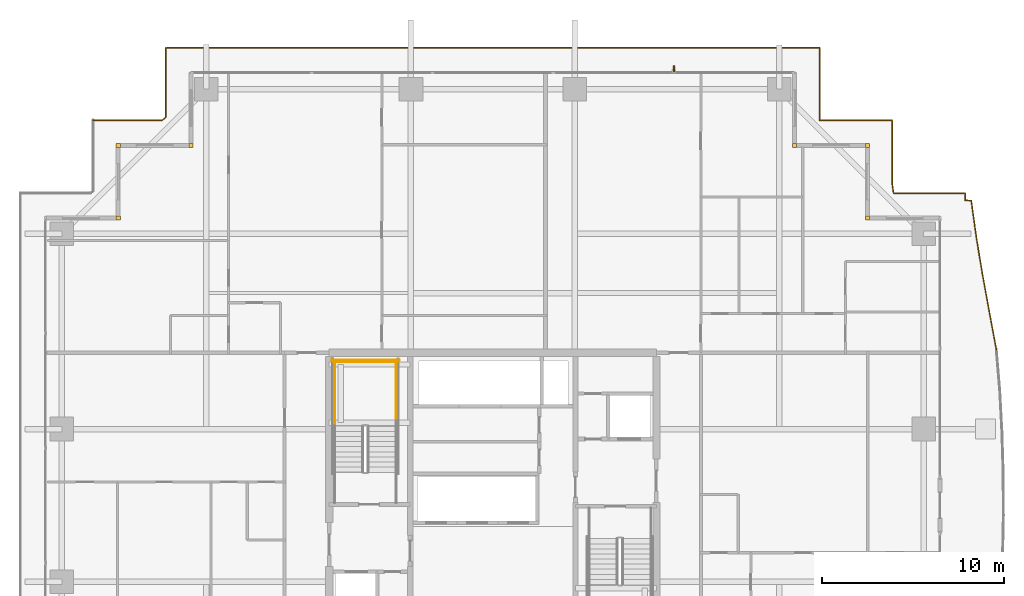
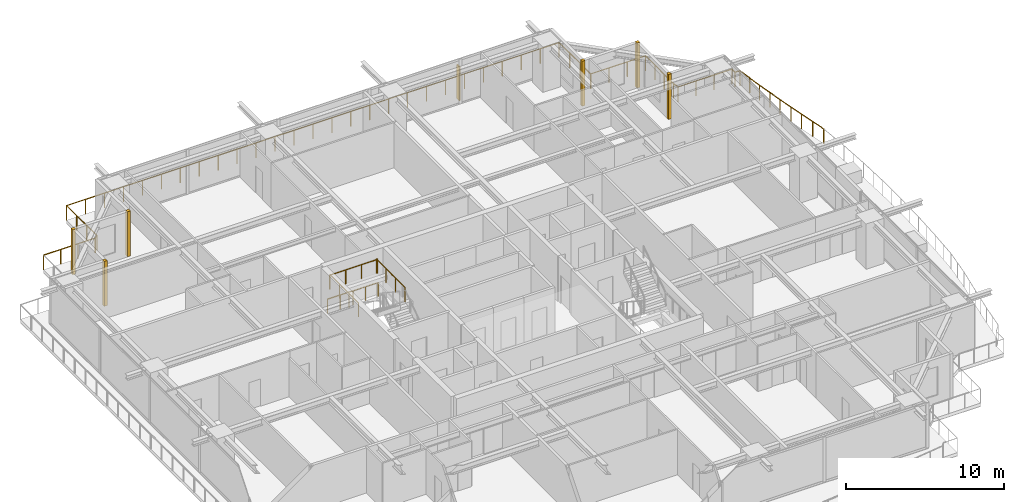
# One storey, part 35 of 35: 6 coverings, 6 railings, 1 shading device.
"""IFC4 building model written with IfcOpenShell, lengths in metres."""

from ifc_helpers import new_model, si_unit, direction, frame, origin, origin_2d, place, context, subcontext, project, spatial, rectangle, circle, extrude, source, transform, mapped, material, layer, layer_set, type_object, element, save


model = new_model("IFC4")

# Units and contexts
model_context = context("Model", 3, precision=1e-05, world=origin(), true_north=direction((0.0, 1.0)))
body_context = subcontext(model_context, "Body", "Model", "MODEL_VIEW")
ifc_project = project(units=[si_unit("LENGTHUNIT", "METRE"), si_unit("AREAUNIT", "SQUARE_METRE"), si_unit("VOLUMEUNIT", "CUBIC_METRE"), si_unit("PLANEANGLEUNIT", "RADIAN"), si_unit("MASSUNIT", "GRAM", prefix="KILO")], contexts=[model_context])

# Site, building, storey
site_placement = place(None, origin())
site = spatial("IfcSite", under=ifc_project, at=site_placement, CompositionType="ELEMENT")
building_placement = place(site_placement, origin())
building = spatial("IfcBuilding", under=site, at=building_placement, Name="Serunith Strait Residences", CompositionType="ELEMENT")
storey_placement = place(building_placement, frame((0.0, 0.0, 191.39990234375)))
storey = spatial("IfcBuildingStorey", under=building, at=storey_placement, Name="L48", CompositionType="ELEMENT", Elevation=191.39990234375)

# Railings
ifc_material_1 = material(Name="Stainless Steel & Laminated Glass Balustrade", Category="steel")
railing_type_1 = type_object("IfcRailingType", Name="RLG-BALC-1150", PredefinedType="BALUSTRADE", material=ifc_material_1)
railing_1_placement = place(storey_placement, frame((10.419921875, 46.3798828125, -0.0498046875)))
element("IfcRailing", 1, at=railing_1_placement, inside=storey, type_object=railing_type_1, Name="L48 Swirling Balcony Perimeter Balustrade 2", PredefinedType="BALUSTRADE", context=body_context, shape_type="SweptSolid", body=[
    extrude(circle(Radius=0.02392578125, at=origin_2d()), frame((0.001953125, 0.0, 1.1259765625), z_axis=(1.0, 0.0, 0.0), x_axis=(0.0, 1.0, 0.0)), (0.0, 0.0, 1.0), 3.7744140625),
    extrude(circle(Radius=0.02392578125, at=origin_2d()), frame((3.77978515625, 0.001220703125, 1.1259765625), z_axis=(0.777683480837, 0.628656029664, 0.0), x_axis=(-0.628656029664, 0.777683480837, 0.0)), (0.0, 0.0, 1.0), 0.281005859375),
    extrude(circle(Radius=0.02392578125, at=origin_2d()), frame((4.0, 0.18115234375, 1.1259765625), z_axis=(0.0, 1.0, 0.0), x_axis=(-1.0, 0.0, 0.0)), (0.0, 0.0, 1.0), 3.81689453125),
    extrude(circle(Radius=0.02392578125, at=origin_2d()), frame((4.001953125, 4.0, 1.1259765625), z_axis=(1.0, 0.0, 0.0), x_axis=(0.0, 1.0, 0.0)), (0.0, 0.0, 1.0), 35.9560546875),
    extrude(circle(Radius=0.02392578125, at=origin_2d()), frame((39.9599609375, 3.998046875, 1.1259765625), z_axis=(0.0, -1.0, 0.0), x_axis=(1.0, 0.0, 0.0)), (0.0, 0.0, 1.0), 3.99609375),
    extrude(circle(Radius=0.02392578125, at=origin_2d()), frame((39.9619140625, 0.0, 1.1259765625), z_axis=(1.0, 0.0, 0.0), x_axis=(0.0, 1.0, 0.0)), (0.0, 0.0, 1.0), 3.99609375),
    extrude(circle(Radius=0.02392578125, at=origin_2d()), frame((43.9599609375, -0.001953125, 1.1259765625), z_axis=(0.0, -1.0, 0.0), x_axis=(1.0, 0.0, 0.0)), (0.0, 0.0, 1.0), 3.545654296875),
    extrude(circle(Radius=0.02392578125, at=origin_2d()), frame((43.960205078125, -3.551513671875, 1.1259765625), z_axis=(0.146898392874, -0.989151587054, 0.0), x_axis=(0.989151587054, 0.146898392874, 0.0)), (0.0, 0.0, 1.0), 0.451416015625),
    extrude(circle(Radius=0.02099609375, at=origin_2d()), origin(), (0.0, 0.0, 1.0), 1.099853515625),
    extrude(circle(Radius=0.02099609375, at=origin_2d()), frame((1.259521484375, 0.0, 0.0)), (0.0, 0.0, 1.0), 1.099853515625),
    extrude(circle(Radius=0.02099609375, at=origin_2d()), frame((2.518798828125, 0.0, 0.0)), (0.0, 0.0, 1.0), 1.099853515625),
    extrude(circle(Radius=0.02099609375, at=origin_2d()), frame((3.7783203125, 0.0, 0.0)), (0.0, 0.0, 1.0), 1.099853515625),
    extrude(circle(Radius=0.02099609375, at=origin_2d()), frame((4.0, 0.17919921875, 0.0)), (0.0, 0.0, 1.0), 1.099853515625),
    extrude(circle(Radius=0.02099609375, at=origin_2d()), frame((4.0, 1.452880859375, 0.0)), (0.0, 0.0, 1.0), 1.099853515625),
    extrude(circle(Radius=0.02099609375, at=origin_2d()), frame((4.0, 2.726318359375, 0.0)), (0.0, 0.0, 1.0), 1.099853515625),
    extrude(circle(Radius=0.02099609375, at=origin_2d()), frame((4.0, 4.0, 0.0)), (0.0, 0.0, 1.0), 1.099853515625),
    extrude(circle(Radius=0.02099609375, at=origin_2d()), frame((5.383056640625, 4.0, 0.0)), (0.0, 0.0, 1.0), 1.099853515625),
    extrude(circle(Radius=0.02099609375, at=origin_2d()), frame((6.76611328125, 4.0, 0.0)), (0.0, 0.0, 1.0), 1.099853515625),
    extrude(circle(Radius=0.02099609375, at=origin_2d()), frame((8.149169921875, 4.0, 0.0)), (0.0, 0.0, 1.0), 1.099853515625),
    extrude(circle(Radius=0.02099609375, at=origin_2d()), frame((9.5322265625, 4.0, 0.0)), (0.0, 0.0, 1.0), 1.099853515625),
    extrude(circle(Radius=0.02099609375, at=origin_2d()), frame((10.915283203125, 4.0, 0.0)), (0.0, 0.0, 1.0), 1.099853515625),
    extrude(circle(Radius=0.02099609375, at=origin_2d()), frame((12.29833984375, 4.0, 0.0)), (0.0, 0.0, 1.0), 1.099853515625),
    extrude(circle(Radius=0.02099609375, at=origin_2d()), frame((13.681640625, 4.0, 0.0)), (0.0, 0.0, 1.0), 1.099853515625),
    extrude(circle(Radius=0.02099609375, at=origin_2d()), frame((15.064697265625, 4.0, 0.0)), (0.0, 0.0, 1.0), 1.099853515625),
    extrude(circle(Radius=0.02099609375, at=origin_2d()), frame((16.44775390625, 4.0, 0.0)), (0.0, 0.0, 1.0), 1.099853515625),
    extrude(circle(Radius=0.02099609375, at=origin_2d()), frame((17.830810546875, 4.0, 0.0)), (0.0, 0.0, 1.0), 1.099853515625),
    extrude(circle(Radius=0.02099609375, at=origin_2d()), frame((19.2138671875, 4.0, 0.0)), (0.0, 0.0, 1.0), 1.099853515625),
    extrude(circle(Radius=0.02099609375, at=origin_2d()), frame((20.596923828125, 4.0, 0.0)), (0.0, 0.0, 1.0), 1.099853515625),
    extrude(circle(Radius=0.02099609375, at=origin_2d()), frame((21.97998046875, 4.0, 0.0)), (0.0, 0.0, 1.0), 1.099853515625),
    extrude(circle(Radius=0.02099609375, at=origin_2d()), frame((23.363037109375, 4.0, 0.0)), (0.0, 0.0, 1.0), 1.099853515625),
    extrude(circle(Radius=0.02099609375, at=origin_2d()), frame((24.74609375, 4.0, 0.0)), (0.0, 0.0, 1.0), 1.099853515625),
    extrude(circle(Radius=0.02099609375, at=origin_2d()), frame((26.129150390625, 4.0, 0.0)), (0.0, 0.0, 1.0), 1.099853515625),
    extrude(circle(Radius=0.02099609375, at=origin_2d()), frame((27.51220703125, 4.0, 0.0)), (0.0, 0.0, 1.0), 1.099853515625),
    extrude(circle(Radius=0.02099609375, at=origin_2d()), frame((28.895263671875, 4.0, 0.0)), (0.0, 0.0, 1.0), 1.099853515625),
    extrude(circle(Radius=0.02099609375, at=origin_2d()), frame((30.2783203125, 4.0, 0.0)), (0.0, 0.0, 1.0), 1.099853515625),
    extrude(circle(Radius=0.02099609375, at=origin_2d()), frame((31.66162109375, 4.0, 0.0)), (0.0, 0.0, 1.0), 1.099853515625),
    extrude(circle(Radius=0.02099609375, at=origin_2d()), frame((33.044677734375, 4.0, 0.0)), (0.0, 0.0, 1.0), 1.099853515625),
    extrude(circle(Radius=0.02099609375, at=origin_2d()), frame((34.427734375, 4.0, 0.0)), (0.0, 0.0, 1.0), 1.099853515625),
    extrude(circle(Radius=0.02099609375, at=origin_2d()), frame((35.810791015625, 4.0, 0.0)), (0.0, 0.0, 1.0), 1.099853515625),
    extrude(circle(Radius=0.02099609375, at=origin_2d()), frame((37.19384765625, 4.0, 0.0)), (0.0, 0.0, 1.0), 1.099853515625),
    extrude(circle(Radius=0.02099609375, at=origin_2d()), frame((38.576904296875, 4.0, 0.0)), (0.0, 0.0, 1.0), 1.099853515625),
    extrude(circle(Radius=0.02099609375, at=origin_2d()), frame((39.9599609375, 4.0, 0.0)), (0.0, 0.0, 1.0), 1.099853515625),
    extrude(circle(Radius=0.02099609375, at=origin_2d()), frame((39.9599609375, 2.666748046875, 0.0)), (0.0, 0.0, 1.0), 1.099853515625),
    extrude(circle(Radius=0.02099609375, at=origin_2d()), frame((39.9599609375, 1.333251953125, 0.0)), (0.0, 0.0, 1.0), 1.099853515625),
    extrude(circle(Radius=0.02099609375, at=origin_2d()), frame((39.9599609375, 0.0, 0.0)), (0.0, 0.0, 1.0), 1.099853515625),
    extrude(circle(Radius=0.02099609375, at=origin_2d()), frame((41.293212890625, 0.0, 0.0)), (0.0, 0.0, 1.0), 1.099853515625),
    extrude(circle(Radius=0.02099609375, at=origin_2d()), frame((42.626708984375, 0.0, 0.0)), (0.0, 0.0, 1.0), 1.099853515625),
    extrude(circle(Radius=0.02099609375, at=origin_2d()), frame((43.9599609375, 0.0, 0.0)), (0.0, 0.0, 1.0), 1.099853515625),
    extrude(circle(Radius=0.02099609375, at=origin_2d()), frame((43.9599609375, -1.18310546875, 0.0)), (0.0, 0.0, 1.0), 1.099853515625),
    extrude(circle(Radius=0.02099609375, at=origin_2d()), frame((43.9599609375, -2.366455078125, 0.0)), (0.0, 0.0, 1.0), 1.099853515625),
    extrude(circle(Radius=0.02099609375, at=origin_2d()), frame((43.9599609375, -3.549560546875, 0.0)), (0.0, 0.0, 1.0), 1.099853515625),
    extrude(circle(Radius=0.02099609375, at=origin_2d()), frame((44.02685546875, -4.0, 0.0)), (0.0, 0.0, 1.0), 1.099853515625),
])
railing_2_placement = place(storey_placement, frame((54.44677734375, 42.3798828125, -0.0498046875)))
element("IfcRailing", 2, at=railing_2_placement, inside=storey, type_object=railing_type_1, Name="L48 Swirling Balcony Perimeter Balustrade 3", PredefinedType="BALUSTRADE", context=body_context, shape_type="SweptSolid", body=[
    extrude(circle(Radius=0.02392578125, at=origin_2d()), frame((0.001953125, 0.0, 1.1259765625), z_axis=(1.0, 0.0, 0.0), x_axis=(0.0, 1.0, 0.0)), (0.0, 0.0, 1.0), 3.92919921875),
    extrude(circle(Radius=0.02392578125, at=origin_2d()), frame((3.93310546875, -0.001953125, 1.1259765625), z_axis=(0.0, -1.0, 0.0), x_axis=(1.0, 0.0, 0.0)), (0.0, 0.0, 1.0), 0.39306640625),
    extrude(circle(Radius=0.02392578125, at=origin_2d()), frame((3.93505859375, -0.39697265625, 1.1259765625), z_axis=(0.998330465853, -0.057760548382, 0.0), x_axis=(0.057760548382, 0.998330465853, 0.0)), (0.0, 0.0, 1.0), 0.33837890625),
    extrude(circle(Radius=0.02392578125, at=origin_2d()), frame((4.275146484375, -0.418701171875, 1.1259765625), z_axis=(0.137989482273, -0.990433694288, 0.0), x_axis=(0.990433694288, 0.137989482273, 0.0)), (0.0, 0.0, 1.0), 2.018310546875),
    extrude(circle(Radius=0.02392578125, at=origin_2d()), frame((4.55419921875, -2.421630859375, 1.1259765625), z_axis=(0.162043026863, -0.986783693342, 0.0), x_axis=(0.986783693342, 0.162043026863, 0.0)), (0.0, 0.0, 1.0), 2.046630859375),
    extrude(circle(Radius=0.02392578125, at=origin_2d()), frame((4.886474609375, -4.445068359375, 1.1259765625), z_axis=(0.1794596787, -0.983765329599, 0.0), x_axis=(0.983765329599, 0.1794596787, 0.0)), (0.0, 0.0, 1.0), 2.091064453125),
    extrude(circle(Radius=0.02392578125, at=origin_2d()), frame((5.2626953125, -6.506103515625, 1.1259765625), z_axis=(0.183672406915, -0.982987511079, 0.0), x_axis=(0.982987511079, 0.183672406915, 0.0)), (0.0, 0.0, 1.0), 2.1494140625),
    extrude(circle(Radius=0.02099609375, at=origin_2d()), origin(), (0.0, 0.0, 1.0), 1.099853515625),
    extrude(circle(Radius=0.02099609375, at=origin_2d()), frame((1.31103515625, 0.0, 0.0)), (0.0, 0.0, 1.0), 1.099853515625),
    extrude(circle(Radius=0.02099609375, at=origin_2d()), frame((2.6220703125, 0.0, 0.0)), (0.0, 0.0, 1.0), 1.099853515625),
    extrude(circle(Radius=0.02099609375, at=origin_2d()), frame((3.93310546875, 0.0, 0.0)), (0.0, 0.0, 1.0), 1.099853515625),
    extrude(circle(Radius=0.02099609375, at=origin_2d()), frame((3.93310546875, -0.39697265625, 0.0)), (0.0, 0.0, 1.0), 1.099853515625),
    extrude(circle(Radius=0.02099609375, at=origin_2d()), frame((4.27490234375, -0.416748046875, 0.0)), (0.0, 0.0, 1.0), 1.099853515625),
    extrude(circle(Radius=0.02099609375, at=origin_2d()), frame((4.41455078125, -1.418212890625, 0.0)), (0.0, 0.0, 1.0), 1.099853515625),
    extrude(circle(Radius=0.02099609375, at=origin_2d()), frame((4.553955078125, -2.419677734375, 0.0)), (0.0, 0.0, 1.0), 1.099853515625),
    extrude(circle(Radius=0.02099609375, at=origin_2d()), frame((4.72021484375, -3.431396484375, 0.0)), (0.0, 0.0, 1.0), 1.099853515625),
    extrude(circle(Radius=0.02099609375, at=origin_2d()), frame((4.88623046875, -4.443115234375, 0.0)), (0.0, 0.0, 1.0), 1.099853515625),
    extrude(circle(Radius=0.02099609375, at=origin_2d()), frame((5.07421875, -5.4736328125, 0.0)), (0.0, 0.0, 1.0), 1.099853515625),
    extrude(circle(Radius=0.02099609375, at=origin_2d()), frame((5.26220703125, -6.504150390625, 0.0)), (0.0, 0.0, 1.0), 1.099853515625),
    extrude(circle(Radius=0.02099609375, at=origin_2d()), frame((5.4599609375, -7.5625, 0.0)), (0.0, 0.0, 1.0), 1.099853515625),
    extrude(circle(Radius=0.02099609375, at=origin_2d()), frame((5.65771484375, -8.620849609375, 0.0)), (0.0, 0.0, 1.0), 1.099853515625),
])
ifc_material_2 = material(Name="Brushed stainless steel 316L", Category="steel")
railing_type_2 = type_object("IfcRailingType", Name="RLG-STAIR-GUARD", PredefinedType="BALUSTRADE", material=ifc_material_2)
for number, where, name in (
    (3, (27.10009765625, 29.550048828125, 1.875), "L48 ST-1 stair guard 3"),
    (4, (23.699951171875, 29.550048828125, 1.875), "L48 ST-1 stair guard 4"),
):
    element("IfcRailing", number, at=place(storey_placement, frame(where)), inside=storey, type_object=railing_type_2, Name=name, PredefinedType="BALUSTRADE", context=body_context, shape_type="SweptSolid", body=[
        extrude(circle(Radius=0.02392578125, at=origin_2d()), frame((0.0, 0.001953125, 1.076171875), z_axis=(0.0, 1.0, 0.0), x_axis=(-1.0, 0.0, 0.0)), (0.0, 0.0, 1.0), 3.595947265625),
        extrude(circle(Radius=0.02099609375, at=origin_2d()), origin(), (0.0, 0.0, 1.0), 1.050048828125),
        extrude(circle(Radius=0.02099609375, at=origin_2d()), frame((0.0, 1.199951171875, 0.0)), (0.0, 0.0, 1.0), 1.050048828125),
        extrude(circle(Radius=0.02099609375, at=origin_2d()), frame((0.0, 2.39990234375, 0.0)), (0.0, 0.0, 1.0), 1.050048828125),
        extrude(circle(Radius=0.02099609375, at=origin_2d()), frame((0.0, 3.599853515625, 0.0)), (0.0, 0.0, 1.0), 1.050048828125),
    ])
railing_3_placement = place(storey_placement, frame((27.14990234375, 33.10009765625, 1.875)))
element("IfcRailing", 5, at=railing_3_placement, inside=storey, type_object=railing_type_2, Name="L48 ST-1 stair guard 5", PredefinedType="BALUSTRADE", context=body_context, shape_type="SweptSolid", body=[
    extrude(circle(Radius=0.02392578125, at=origin_2d()), frame((-0.001953125, 0.0, 1.076171875), z_axis=(-1.0, 0.0, 0.0), x_axis=(0.0, -1.0, 0.0)), (0.0, 0.0, 1.0), 3.49609375),
    extrude(circle(Radius=0.02099609375, at=origin_2d()), origin(), (0.0, 0.0, 1.0), 1.050048828125),
    extrude(circle(Radius=0.02099609375, at=origin_2d()), frame((-1.166748046875, 0.0, 0.0)), (0.0, 0.0, 1.0), 1.050048828125),
    extrude(circle(Radius=0.02099609375, at=origin_2d()), frame((-2.333251953125, 0.0, 0.0)), (0.0, 0.0, 1.0), 1.050048828125),
    extrude(circle(Radius=0.02099609375, at=origin_2d()), frame((-3.5, 0.0, 0.0)), (0.0, 0.0, 1.0), 1.050048828125),
])
railing_4_placement = place(storey_placement, frame((27.25, 33.199951171875, 0.0)))
element("IfcRailing", 6, at=railing_4_placement, inside=storey, type_object=railing_type_2, Name="L48 ST-1 stair guard 12", PredefinedType="BALUSTRADE", context=body_context, shape_type="SweptSolid", body=[
    extrude(circle(Radius=0.02392578125, at=origin_2d()), frame((-0.001953125, 0.0, 1.076171875), z_axis=(-1.0, 0.0, 0.0), x_axis=(0.0, -1.0, 0.0)), (0.0, 0.0, 1.0), 3.696044921875),
    extrude(circle(Radius=0.02099609375, at=origin_2d()), origin(), (0.0, 0.0, 1.0), 1.050048828125),
    extrude(circle(Radius=0.02099609375, at=origin_2d()), frame((-0.925048828125, 0.0, 0.0)), (0.0, 0.0, 1.0), 1.050048828125),
    extrude(circle(Radius=0.02099609375, at=origin_2d()), frame((-1.85009765625, 0.0, 0.0)), (0.0, 0.0, 1.0), 1.050048828125),
    extrude(circle(Radius=0.02099609375, at=origin_2d()), frame((-2.77490234375, 0.0, 0.0)), (0.0, 0.0, 1.0), 1.050048828125),
    extrude(circle(Radius=0.02099609375, at=origin_2d()), frame((-3.699951171875, 0.0, 0.0)), (0.0, 0.0, 1.0), 1.050048828125),
])

# Coverings
ifc_material_3 = material(Name="Pale-Champagne Anodised Aluminium", Category="aluminium")
ifc_layer = layer(ifc_material_3, 0.219970703125, Name="Pale-Champagne Anodised Aluminium")
ifc_layer_set = layer_set([ifc_layer], Name="Pale-Champagne Anodised Aluminium")
covering_type = type_object("IfcCoveringType", Name="COV-CORN-TRIM", PredefinedType="CLADDING", material=ifc_layer_set)
shared_shape_1 = source(origin(), body_context, "Body", "SweptSolid", [
    extrude(rectangle(XDim=0.221923828125, YDim=0.221923828125, at=origin_2d()), origin(), (0.0, 0.0, 1.0), 3.47509765625),
])
for number, where, z_axis, x_axis, name in (
    (7, (53.0, 41.0, 0.0), (0.0, 0.0, 1.0), (1.0, 0.0, 0.0), "L48 Girih Serrated Corner Trim Post 07"),
    (8, (53.0, 45.0, 0.0), (0.0, 0.0, 1.0), (1.0, 0.0, 0.0), "L48 Girih Serrated Corner Trim Post 08"),
    (9, (49.0, 45.0, 0.0), (0.0, 0.0, 1.0), (1.0, 0.0, 0.0), "L48 Girih Serrated Corner Trim Post 09"),
    (10, (15.800048828125, 45.0, 0.0), (0.0, 0.0, 1.0), (1.0, 0.0, 0.0), "L48 Girih Serrated Corner Trim Post 12"),
    (11, (11.800048828125, 45.0, 0.0), (0.0, 0.0, 1.0), (1.0, 0.0, 0.0), "L48 Girih Serrated Corner Trim Post 13"),
    (12, (11.800048828125, 41.0, 0.0), (0.0, 0.0, 1.0), (1.0, 0.0, 0.0), "L48 Girih Serrated Corner Trim Post 14"),
):
    element("IfcCovering", number, at=place(storey_placement, frame(where, z_axis=z_axis, x_axis=x_axis)), inside=storey, type_object=covering_type, Name=name, PredefinedType="CLADDING", context=body_context, shape_type="MappedRepresentation", body=[
        mapped(shared_shape_1, transform((0.0, 0.0, 0.0), scale=1.0)),
    ])

# Shading device
ifc_material_4 = material(Name="Pale-Champagne Perforated Aluminium Fin", Category="aluminium")
shading_device_type = type_object("IfcShadingDeviceType", Name="SHD-DIAG-FIN", PredefinedType="AWNING", material=ifc_material_4)
shared_shape_2 = source(origin(), body_context, "Body", "SweptSolid", [
    extrude(rectangle(XDim=0.080078125, YDim=0.35009765625, at=origin_2d()), origin(), (0.0, 0.0, 1.0), 2.60009765625),
])
shading_device_placement = place(storey_placement, frame((42.360107421875, 49.219970703125, 0.199951171875), z_axis=(0.0, 0.0, 1.0), x_axis=(1.0, 0.0, 0.0)))
element("IfcShadingDevice", 13, at=shading_device_placement, inside=storey, type_object=shading_device_type, Name="L48 Diagonal Rhythm Solar Fin N", PredefinedType="AWNING", context=body_context, shape_type="MappedRepresentation", body=[
    mapped(shared_shape_2, transform((0.0, 0.0, 0.0), scale=1.0)),
])

save(model, "model.ifc")
